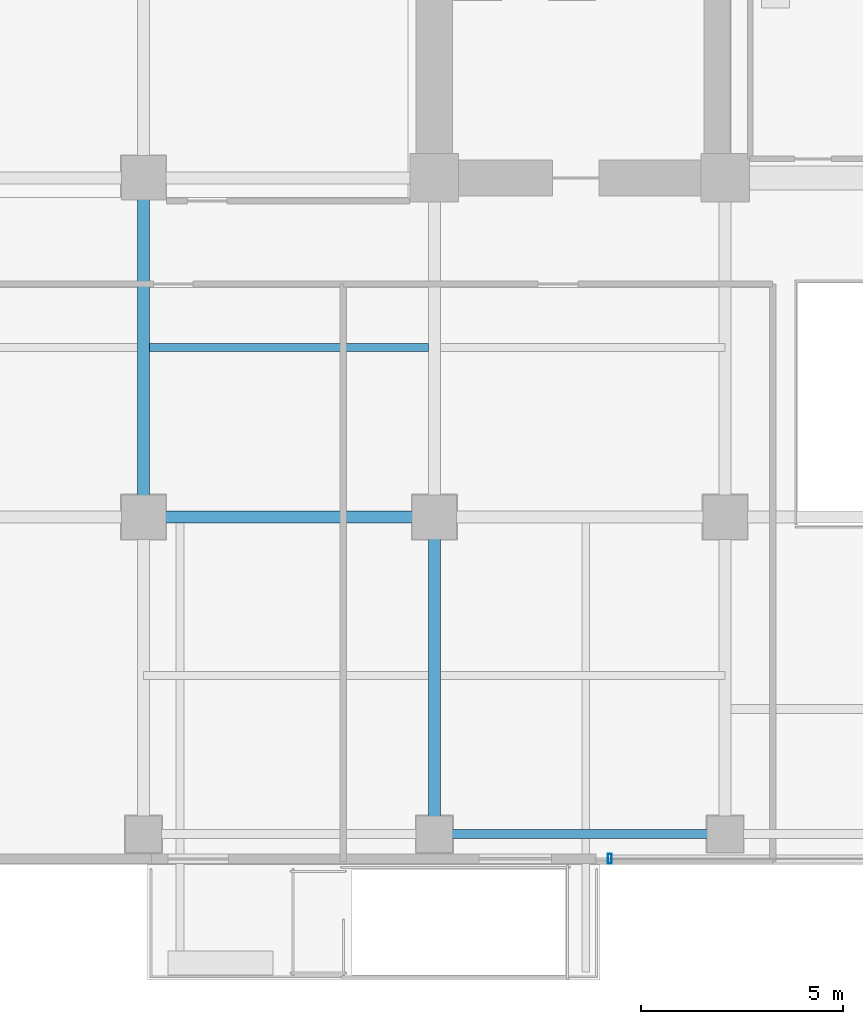
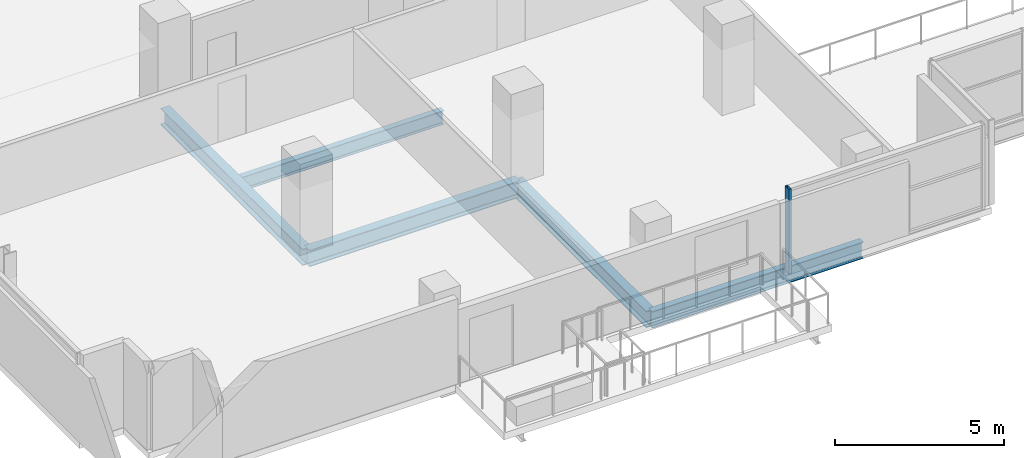
# One storey, part 5 of 30: 5 beams, 1 member, 1 element without a shape of its own.
"""IFC4 building model written with IfcOpenShell, lengths in metres."""

from ifc_helpers import new_model, si_unit, direction, frame, origin, origin_2d, place, context, subcontext, project, spatial, hollow_rectangle, i_section, extrude, source, transform, mapped, material, layer, layer_set, material_profile, profile_set, type_object, element, aggregate, save


model = new_model("IFC4")

# Units and contexts
model_context = context("Model", 3, precision=1e-05, world=origin(), true_north=direction((0.0, 1.0)))
body_context = subcontext(model_context, "Body", "Model", "MODEL_VIEW")
ifc_project = project(units=[si_unit("LENGTHUNIT", "METRE"), si_unit("AREAUNIT", "SQUARE_METRE"), si_unit("VOLUMEUNIT", "CUBIC_METRE"), si_unit("PLANEANGLEUNIT", "RADIAN"), si_unit("MASSUNIT", "GRAM", prefix="KILO")], contexts=[model_context])

# Site, building, storey
site_placement = place(None, origin())
site = spatial("IfcSite", under=ifc_project, at=site_placement, CompositionType="ELEMENT")
building_placement = place(site_placement, origin())
building = spatial("IfcBuilding", under=site, at=building_placement, Name="Zarnakvel Exchange Tower", CompositionType="ELEMENT")
storey_placement = place(building_placement, frame((0.0, 0.0, 30.699951171875)))
storey = spatial("IfcBuildingStorey", under=building, at=storey_placement, Name="L07", CompositionType="ELEMENT", Elevation=30.699951171875)

# Beams
ifc_material_1 = material(Name="Steel S355", Category="steel")
ifc_material_profile_1 = material_profile(ifc_material_1, i_section(OverallWidth=0.199951171875, OverallDepth=0.5, WebThickness=0.01025390625, FlangeThickness=0.01611328125, FilletRadius=0.02099609375, at=origin_2d()))
ifc_profile_set_1 = profile_set([ifc_material_profile_1], Name="Steel S355")
beam_type_1 = type_object("IfcBeamType", Name="B-04", PredefinedType="JOIST", material=ifc_profile_set_1)
beam_1_placement = place(storey_placement, frame((-21.449951171875, -5.39990234375, -0.474853515625), z_axis=(1.0, 0.0, 0.0), x_axis=(0.0, 1.0, 0.0)))
element("IfcBeam", 1, at=beam_1_placement, inside=storey, type_object=beam_type_1, Name="L07 Composite Floor Secondary Joist", PredefinedType="JOIST", context=body_context, shape_type="SweptSolid", body=[
    extrude(i_section(OverallWidth=0.199951171875, OverallDepth=0.5, WebThickness=0.01025390625, FlangeThickness=0.01611328125, FilletRadius=0.02099609375, at=origin_2d()), origin(), (0.0, 0.0, 1.0), 6.89990234375),
])
ifc_material_profile_2 = material_profile(ifc_material_1, i_section(OverallWidth=0.300048828125, OverallDepth=0.60009765625, WebThickness=0.015380859375, FlangeThickness=0.030029296875, FilletRadius=0.027099609375, at=origin_2d()))
ifc_profile_set_2 = profile_set([ifc_material_profile_2], Name="Steel S355")
beam_type_2 = type_object("IfcBeamType", Name="G-04", PredefinedType="BEAM", material=ifc_profile_set_2)
beam_2_placement = place(storey_placement, frame((-21.60009765625, -9.60009765625, -0.52490234375), z_axis=(1.0, 0.0, 0.0), x_axis=(0.0, 1.0, 0.0)))
element("IfcBeam", 2, at=beam_2_placement, inside=storey, type_object=beam_type_2, Name="L07 Tower E-W Frame Beam", PredefinedType="BEAM", context=body_context, shape_type="SweptSolid", body=[
    extrude(i_section(OverallWidth=0.300048828125, OverallDepth=0.60009765625, WebThickness=0.015380859375, FlangeThickness=0.030029296875, FilletRadius=0.027099609375, at=origin_2d()), origin(), (0.0, 0.0, 1.0), 7.2001953125),
])
beam_3_placement = place(storey_placement, frame((-21.60009765625, -9.60009765625, -0.52490234375), z_axis=(0.0, 1.0, 0.0), x_axis=(-1.0, 0.0, 0.0)))
element("IfcBeam", 3, at=beam_3_placement, inside=storey, type_object=beam_type_2, Name="L07 Tower N-S Frame Beam", PredefinedType="BEAM", context=body_context, shape_type="SweptSolid", body=[
    extrude(i_section(OverallWidth=0.300048828125, OverallDepth=0.60009765625, WebThickness=0.015380859375, FlangeThickness=0.030029296875, FilletRadius=0.027099609375, at=origin_2d()), origin(), (0.0, 0.0, 1.0), 8.400146484375),
])
beam_4_placement = place(storey_placement, frame((-14.39990234375, -17.449951171875, -0.52490234375), z_axis=(0.0, 1.0, 0.0), x_axis=(-1.0, 0.0, 0.0)))
element("IfcBeam", 4, at=beam_4_placement, inside=storey, type_object=beam_type_2, Name="L07 Tower N-S Frame Beam", PredefinedType="BEAM", context=body_context, shape_type="SweptSolid", body=[
    extrude(i_section(OverallWidth=0.300048828125, OverallDepth=0.60009765625, WebThickness=0.015380859375, FlangeThickness=0.030029296875, FilletRadius=0.027099609375, at=origin_2d()), origin(), (0.0, 0.0, 1.0), 7.849853515625),
])
ifc_material_profile_3 = material_profile(ifc_material_1, i_section(OverallWidth=0.219970703125, OverallDepth=0.60009765625, WebThickness=0.011962890625, FlangeThickness=0.01904296875, FilletRadius=0.02392578125, at=origin_2d()))
ifc_profile_set_3 = profile_set([ifc_material_profile_3], Name="Steel S355")
beam_type_3 = type_object("IfcBeamType", Name="SP-01", PredefinedType="SPANDREL", material=ifc_profile_set_3)
beam_5_placement = place(storey_placement, frame((-14.39990234375, -17.449951171875, -0.52490234375), z_axis=(1.0, 0.0, 0.0), x_axis=(0.0, 1.0, 0.0)))
element("IfcBeam", 5, at=beam_5_placement, inside=storey, type_object=beam_type_3, Name="L07 Tower E-W Frame Beam", PredefinedType="SPANDREL", context=body_context, shape_type="SweptSolid", body=[
    extrude(i_section(OverallWidth=0.219970703125, OverallDepth=0.60009765625, WebThickness=0.011962890625, FlangeThickness=0.01904296875, FilletRadius=0.02392578125, at=origin_2d()), origin(), (0.0, 0.0, 1.0), 7.199951171875),
])

# Curtain wall, member
ifc_material_2 = material(Name="Architectural Bronze Anodised Aluminium", Category="aluminium")
ifc_layer = layer(ifc_material_2, 0.239990234375)
ifc_layer_set = layer_set([ifc_layer], Name="Architectural Bronze Anodised Aluminium")
curtain_wall_type = type_object("IfcCurtainWallType", Name="CW-02", PredefinedType="NOTDEFINED", material=ifc_layer_set)
curtain_wall_placement = place(storey_placement, origin())
curtain_wall = element("IfcCurtainWall", 6, at=curtain_wall_placement, inside=storey, type_object=curtain_wall_type, Name="L07 Curtain Wall CW-L07-SW (CW-02)", PredefinedType="NOTDEFINED")
ifc_material_profile_4 = material_profile(ifc_material_2, hollow_rectangle(XDim=0.239990234375, YDim=0.090087890625, WallThickness=0.006103515625, at=origin_2d()))
ifc_profile_set_4 = profile_set([ifc_material_profile_4], Name="Architectural Bronze Anodised Aluminium")
member_type = type_object("IfcMemberType", Name="CWM-02", PredefinedType="MULLION", material=ifc_profile_set_4)
shared_shape = source(origin(), body_context, "Body", "SweptSolid", [
    extrude(hollow_rectangle(XDim=0.239990234375, YDim=0.090087890625, WallThickness=0.006103515625, at=origin_2d()), origin(), (0.0, 0.0, 1.0), 3.054931640625),
])
member_placement = place(storey_placement, frame((-10.054931640625, -18.06005859375, 0.0), z_axis=(0.0, 0.0, 1.0), x_axis=(0.0, 1.0, 0.0)))
member = element("IfcMember", 7, at=member_placement, type_object=member_type, Name="CW-02 mullion 1", PredefinedType="MULLION", context=body_context, shape_type="MappedRepresentation", body=[
    mapped(shared_shape, transform((0.0, 0.0, 0.0), x_axis=(1.0, 0.0, 0.0), y_axis=(0.0, 1.0, 0.0), z_axis=(0.0, 0.0, 1.0), scale=1.0)),
])
aggregate(curtain_wall, [member])

save(model, "model.ifc")
